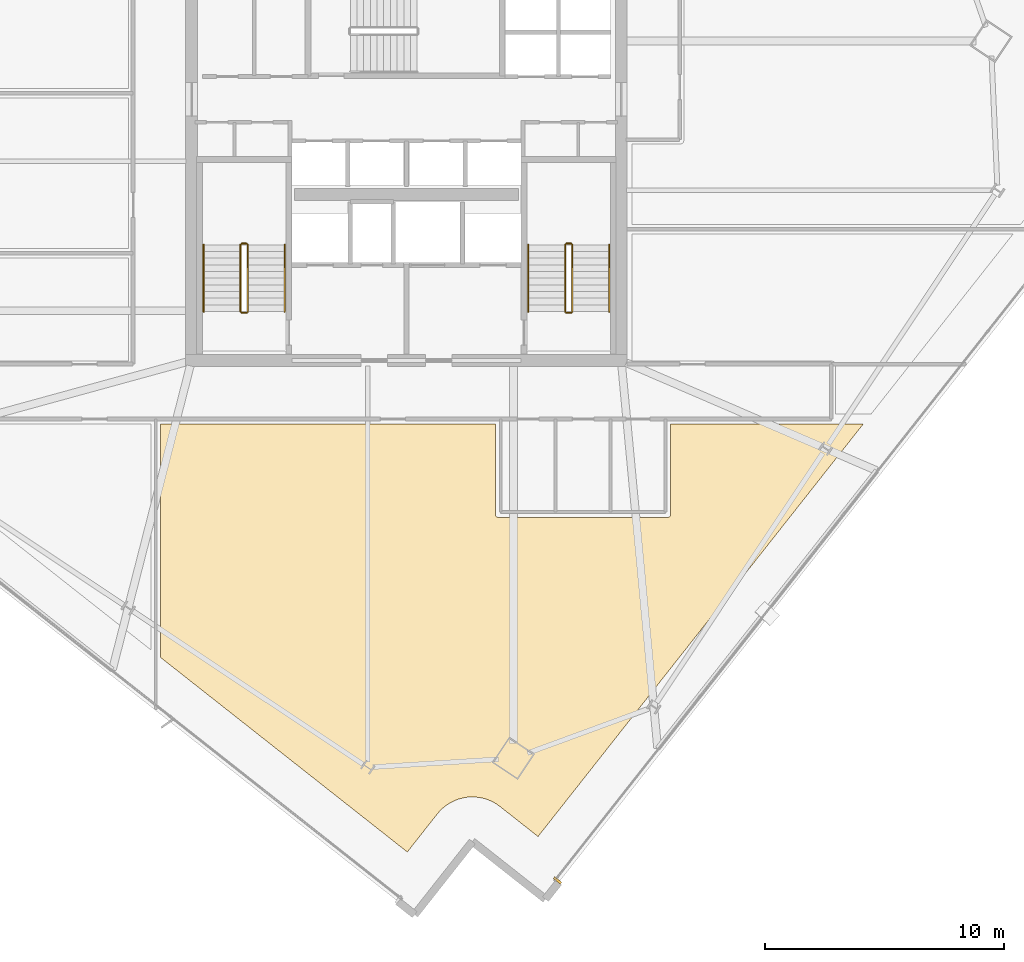
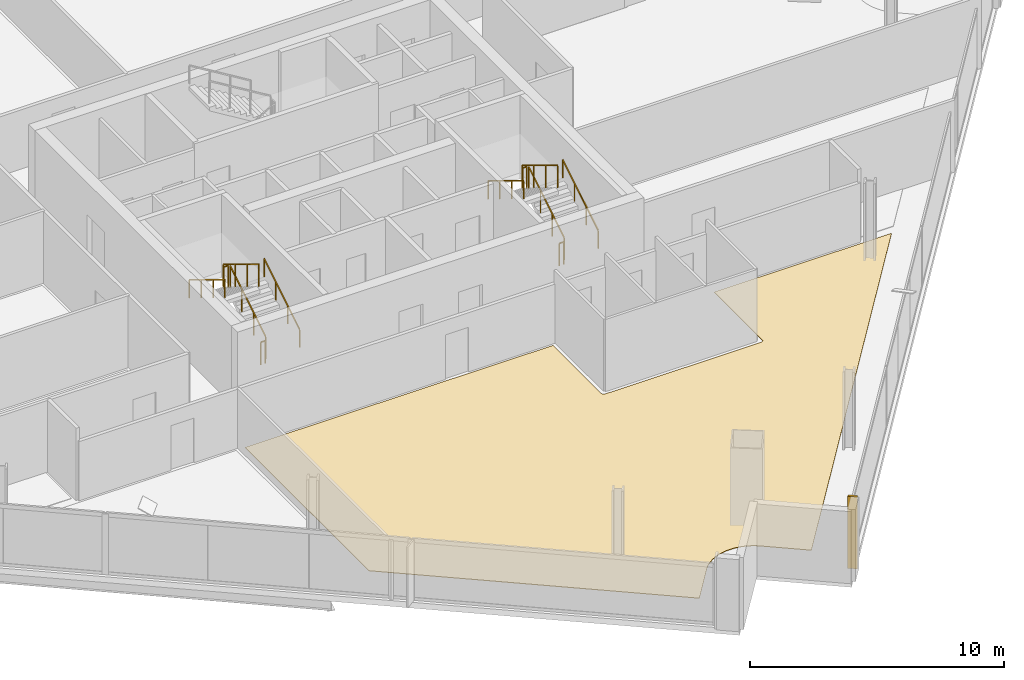
# One storey, part 25 of 28: 12 railings, 2 coverings.
"""IFC4 building model written with IfcOpenShell, lengths in metres."""

import ifcopenshell
import ifcopenshell.guid

model = None  # the IFC model being written
_history = None  # IfcOwnerHistory: only IFC2X3 demands one
_inside = {}  # id of a spatial element -> (the spatial element, [elements in it])
_under = {}  # id of a project, library or spatial element -> (it, [spatial elements below it])
_declared = {}  # id of a project -> (the project, [libraries it declares])
_typed = {}  # id of a type object -> (the type object, [elements of that type])
_made_of = {}  # id of a material, layer set ... -> (it, [elements and type objects made of it])


def new_model(schema):
    """Start an empty IFC model of exactly this schema.

    Asked for "IFC4X3", IfcOpenShell would pick the latest addendum, in which some entities
    have other attributes; the version numbers below select the first issue.
    IFC2X3 requires an IfcOwnerHistory on every rooted entity: one is made here for all.
    """
    global model, _history
    if schema == "IFC4X3":
        model = ifcopenshell.file(schema_version=(4, 3, 0, 0))
    else:
        model = ifcopenshell.file(schema=schema)
    _inside.clear()
    _under.clear()
    _declared.clear()
    _typed.clear()
    _made_of.clear()
    _history = None
    if model.schema == "IFC2X3":
        org = make("IfcOrganization", Name="unknown")
        user = make(
            "IfcPersonAndOrganization",
            ThePerson=make("IfcPerson", FamilyName="unknown"),
            TheOrganization=org,
        )
        app = make(
            "IfcApplication",
            ApplicationDeveloper=org,
            Version="unknown",
            ApplicationFullName="unknown",
            ApplicationIdentifier="unknown",
        )
        _history = make(
            "IfcOwnerHistory",
            OwningUser=user,
            OwningApplication=app,
            ChangeAction="ADDED",
            CreationDate=0,
        )
    return model


def make(cls, **values):
    """One entity of the class cls with the attributes given. An attribute that is None is left unset."""
    return model.create_entity(
        cls, **{name: value for name, value in values.items() if value is not None}
    )


def rooted(cls, **values):
    """An entity with a GlobalId (a new one), such as an element, a storey or a relation."""
    return make(cls, GlobalId=ifcopenshell.guid.new(), OwnerHistory=_history, **values)


def si_unit(unit_type, name, prefix=None):
    """IfcSIUnit, for example si_unit("LENGTHUNIT", "METRE", prefix="MILLI")."""
    return make("IfcSIUnit", UnitType=unit_type, Prefix=prefix, Name=name)


def assignment(units):
    """IfcUnitAssignment: the units of a project."""
    return None if units is None else make("IfcUnitAssignment", Units=units)


def point(xyz):
    """IfcCartesianPoint."""
    return None if xyz is None else make("IfcCartesianPoint", Coordinates=xyz)


def direction(xyz):
    """IfcDirection."""
    return None if xyz is None else make("IfcDirection", DirectionRatios=xyz)


def frame(location, z_axis=None, x_axis=None):
    """IfcAxis2Placement3D, a coordinate frame: its origin and axes. An axis left out is left unset."""
    return make(
        "IfcAxis2Placement3D",
        Location=point(location),
        Axis=direction(z_axis),
        RefDirection=direction(x_axis),
    )


def frame_2d(location, x_axis=None):
    """IfcAxis2Placement2D, a coordinate frame in the plane: its origin and x axis."""
    return make(
        "IfcAxis2Placement2D", Location=point(location), RefDirection=direction(x_axis)
    )


def origin():
    """The frame at (0, 0, 0) with its axes left unset."""
    return frame((0.0, 0.0, 0.0))


def origin_2d():
    """The frame at (0, 0) in the plane with its x axis left unset."""
    return frame_2d((0.0, 0.0))


def place(relative_to, where):
    """IfcLocalPlacement: puts the frame where relative to a parent placement (None: the world)."""
    return make(
        "IfcLocalPlacement", PlacementRelTo=relative_to, RelativePlacement=where
    )


def context(
    kind, dimensions, precision=None, world=None, true_north=None, identifier=None
):
    """IfcGeometricRepresentationContext, for example the 3D "Model" context."""
    return make(
        "IfcGeometricRepresentationContext",
        ContextIdentifier=identifier,
        ContextType=kind,
        CoordinateSpaceDimension=dimensions,
        Precision=precision,
        WorldCoordinateSystem=world,
        TrueNorth=true_north,
    )


def subcontext(parent, identifier, kind, view, scale=None):
    """IfcGeometricRepresentationSubContext, for example "Body" below "Model"."""
    return make(
        "IfcGeometricRepresentationSubContext",
        ContextIdentifier=identifier,
        ContextType=kind,
        ParentContext=parent,
        TargetScale=scale,
        TargetView=view,
    )


def project(units=None, contexts=None):
    """IfcProject with its units and contexts."""
    return rooted(
        "IfcProject",
        Name="project",
        RepresentationContexts=contexts,
        UnitsInContext=assignment(units),
    )


def spatial(cls, under=None, at=None, **own):
    """A site, building, storey or space (cls), placed at a placement, below another one or the project."""
    s = rooted(cls, ObjectPlacement=at, **own)
    if under is not None:
        _under.setdefault(under.id(), (under, []))[1].append(s)
    return s


def polyline(points):
    """IfcPolyline through the points."""
    return make("IfcPolyline", Points=[point(p) for p in points])


def profile(cls, at=None, kind="AREA", **sizes):
    """A parametric profile (cls). Its sizes go by their IFC names, for example OverallWidth=200.0."""
    return make(cls, ProfileType=kind, Position=at, **sizes)


def rectangle(**sizes):
    """IfcRectangleProfileDef."""
    return profile("IfcRectangleProfileDef", **sizes)


def outline(outer, holes=None, kind="AREA"):
    """IfcArbitraryClosedProfileDef: a profile drawn as a closed curve; with holes, ...WithVoids."""
    if holes is None:
        return make("IfcArbitraryClosedProfileDef", ProfileType=kind, OuterCurve=outer)
    return make(
        "IfcArbitraryProfileDefWithVoids",
        ProfileType=kind,
        OuterCurve=outer,
        InnerCurves=holes,
    )


def extrude(swept, where, along, depth):
    """IfcExtrudedAreaSolid: the profile swept, set in the frame where, extruded along a direction by depth."""
    return make(
        "IfcExtrudedAreaSolid",
        SweptArea=swept,
        Position=where,
        ExtrudedDirection=direction(along),
        Depth=depth,
    )


def shape(context_of_items, identifier, shape_type, items):
    """IfcShapeRepresentation: the items that make up one representation, for example the "Body"."""
    return make(
        "IfcShapeRepresentation",
        ContextOfItems=context_of_items,
        RepresentationIdentifier=identifier,
        RepresentationType=shape_type,
        Items=items,
    )


def source(mapping_origin, context_of_items, identifier, shape_type, items):
    """IfcRepresentationMap: a shape defined once, which mapped items show again and again."""
    return make(
        "IfcRepresentationMap",
        MappingOrigin=mapping_origin,
        MappedRepresentation=shape(context_of_items, identifier, shape_type, items),
    )


def transform(
    local_origin,
    x_axis=None,
    y_axis=None,
    z_axis=None,
    scale=None,
    scale2=None,
    scale3=None,
    uniform=True,
):
    """IfcCartesianTransformationOperator3D, or its non-uniform kind. x_axis, y_axis, z_axis: its Axis1, 2, 3."""
    if uniform:
        return make(
            "IfcCartesianTransformationOperator3D",
            Axis1=direction(x_axis),
            Axis2=direction(y_axis),
            LocalOrigin=point(local_origin),
            Scale=scale,
            Axis3=direction(z_axis),
        )
    return make(
        "IfcCartesianTransformationOperator3DnonUniform",
        Axis1=direction(x_axis),
        Axis2=direction(y_axis),
        LocalOrigin=point(local_origin),
        Scale=scale,
        Axis3=direction(z_axis),
        Scale2=scale2,
        Scale3=scale3,
    )


def mapped(mapping_source, mapping_target):
    """IfcMappedItem: shows the shape of a source again, moved by a transform."""
    return make(
        "IfcMappedItem", MappingSource=mapping_source, MappingTarget=mapping_target
    )


def material(Name=None, Category=None):
    """IfcMaterial."""
    return make("IfcMaterial", Name=Name, Category=Category)


def layer(
    of_material, thickness, ventilated=None, Name=None, Category=None, Priority=None
):
    """IfcMaterialLayer: one layer of a wall or slab, of a material (None: an air gap)."""
    return make(
        "IfcMaterialLayer",
        Material=of_material,
        LayerThickness=thickness,
        IsVentilated=ventilated,
        Name=Name,
        Category=Category,
        Priority=Priority,
    )


def layer_set(layers, Name=None):
    """IfcMaterialLayerSet."""
    return make("IfcMaterialLayerSet", MaterialLayers=layers, LayerSetName=Name)


def made_of(thing, what):
    """Note that an element or type object is made of a material, layer set ...; save() writes the relation."""
    if what is not None:
        _made_of.setdefault(what.id(), (what, []))[1].append(thing)
    return thing


def type_object(cls, material=None, **own):
    """A type object (cls), such as IfcWallType, which elements share."""
    return made_of(rooted(cls, **own), material)


def element(
    cls,
    number,
    at=None,
    inside=None,
    cuts=None,
    type_object=None,
    material=None,
    context=None,
    identifier="Body",
    shape_type=None,
    held_by="IfcProductDefinitionShape",
    body=None,
    shapes=None,
    **own,
):
    """One element of the class cls, such as IfcWall. Its Tag is "e" and its number.

    at: its placement. inside: the storey or other place that contains it. cuts: it is an
    opening in that element (IfcRelVoidsElement). A single representation is given by context,
    identifier, shape_type and body (its items); several are given by shapes. held_by: the class
    of the entity that holds the representations. save() writes the other relations.
    """
    e = rooted(cls, Tag="e%d" % number, ObjectPlacement=at, **own)
    if body is not None:
        shapes = [shape(context, identifier, shape_type, body)]
    if shapes is not None:
        e.Representation = make(held_by, Representations=shapes)
    if inside is not None:
        _inside.setdefault(inside.id(), (inside, []))[1].append(e)
    if cuts is not None:
        rooted(
            "IfcRelVoidsElement", RelatingBuildingElement=cuts, RelatedOpeningElement=e
        )
    if type_object is not None:
        _typed.setdefault(type_object.id(), (type_object, []))[1].append(e)
    return made_of(e, material)


def aggregate(whole, parts):
    """IfcRelAggregates: a whole, such as a stair, and the parts it consists of."""
    return rooted("IfcRelAggregates", RelatingObject=whole, RelatedObjects=parts)


def save(model, path):
    """Write the relations noted so far, then the file.

    IfcRelAggregates (storeys below a building ...), IfcRelContainedInSpatialStructure (elements
    in a storey), IfcRelDefinesByType, IfcRelAssociatesMaterial and IfcRelDeclares: one each for
    every whole, place, type object, material and project.
    """
    for whole, parts in _under.values():
        aggregate(whole, parts)
    for where, things in _inside.values():
        rooted(
            "IfcRelContainedInSpatialStructure",
            RelatedElements=things,
            RelatingStructure=where,
        )
    for kind, things in _typed.values():
        rooted("IfcRelDefinesByType", RelatedObjects=things, RelatingType=kind)
    for what, things in _made_of.values():
        rooted("IfcRelAssociatesMaterial", RelatedObjects=things, RelatingMaterial=what)
    for by, libraries in _declared.values():
        rooted("IfcRelDeclares", RelatingContext=by, RelatedDefinitions=libraries)
    model.write(path)


model = new_model("IFC4")

# Units and contexts
model_context = context("Model", 3, precision=1e-05, world=origin(), true_north=direction((0.0, 1.0)))
body_context = subcontext(model_context, "Body", "Model", "MODEL_VIEW")
ifc_project = project(units=[si_unit("LENGTHUNIT", "METRE"), si_unit("AREAUNIT", "SQUARE_METRE"), si_unit("VOLUMEUNIT", "CUBIC_METRE"), si_unit("PLANEANGLEUNIT", "RADIAN"), si_unit("MASSUNIT", "GRAM", prefix="KILO")], contexts=[model_context])

# Site, building, storey
site_placement = place(None, origin())
site = spatial("IfcSite", under=ifc_project, at=site_placement, CompositionType="ELEMENT")
building_placement = place(site_placement, origin())
building = spatial("IfcBuilding", under=site, at=building_placement, Name="Haldenkirk Collegiate Tower", CompositionType="ELEMENT")
storey_placement = place(building_placement, frame((0.0, 0.0, 202.199951171875)))
storey = spatial("IfcBuildingStorey", under=building, at=storey_placement, Name="L50", CompositionType="ELEMENT", Elevation=202.199951171875)

# Covering
ifc_material_1 = material(Name="Polished collegiate terrazzo", Category="concrete")
ifc_layer_1 = layer(ifc_material_1, 0.02490234375)
ifc_layer_set_1 = layer_set([ifc_layer_1], Name="Polished collegiate terrazzo")
covering_type_1 = type_object("IfcCoveringType", Name="COV-FLOOR-TERRAZZO", PredefinedType="FLOORING", material=ifc_layer_set_1)
covering_1_placement = place(storey_placement, origin())
element("IfcCovering", 1, at=covering_1_placement, inside=storey, type_object=covering_type_1, Name="L50 academic room finish 02", PredefinedType="FLOORING", context=body_context, shape_type="SweptSolid", body=[
    extrude(outline(polyline([(39.27587890625, -0.356689453125), (39.264404296875, -0.353515625), (39.09716796875, -0.31494140625), (39.085693359375, -0.31298828125), (38.915283203125, -0.291015625), (38.903564453125, -0.290283203125), (38.73193359375, -0.28515625), (38.72021484375, -0.285400390625), (38.548828125, -0.297119140625), (38.537109375, -0.298583984375), (38.36767578125, -0.3271484375), (38.356201171875, -0.32958984375), (38.1904296875, -0.37451171875), (38.17919921875, -0.378173828125), (38.018798828125, -0.439208984375), (38.008056640625, -0.44384765625), (37.854248046875, -0.520263671875), (37.843994140625, -0.526123046875), (37.698486328125, -0.6171875), (37.688720703125, -0.6240234375), (37.552734375, -0.72900390625), (37.5439453125, -0.73681640625), (37.4189453125, -0.8544921875), (37.41064453125, -0.863037109375), (37.2978515625, -0.992431640625), (37.294189453125, -0.9970703125), (36.037353515625, -2.59130859375), (25.699951171875, 5.55810546875), (25.699951171875, 15.35009765625), (39.72998046875, 15.35009765625), (39.72998046875, 11.550048828125), (39.730712890625, 11.5380859375), (39.732421875, 11.526611328125), (39.735107421875, 11.51513671875), (39.739013671875, 11.504150390625), (39.744140625, 11.493408203125), (39.750244140625, 11.4833984375), (39.757080078125, 11.473876953125), (39.76513671875, 11.465087890625), (39.77392578125, 11.457275390625), (39.783203125, 11.4501953125), (39.79345703125, 11.444091796875), (39.80419921875, 11.439208984375), (39.815185546875, 11.435302734375), (39.82666015625, 11.432373046875), (39.838134765625, 11.4306640625), (39.85009765625, 11.429931640625), (46.949951171875, 11.429931640625), (46.9619140625, 11.4306640625), (46.973388671875, 11.432373046875), (46.98486328125, 11.435302734375), (46.995849609375, 11.439208984375), (47.006591796875, 11.444091796875), (47.0166015625, 11.4501953125), (47.026123046875, 11.457275390625), (47.034912109375, 11.465087890625), (47.042724609375, 11.473876953125), (47.0498046875, 11.4833984375), (47.055908203125, 11.493408203125), (47.060791015625, 11.504150390625), (47.064697265625, 11.51513671875), (47.067626953125, 11.526611328125), (47.0693359375, 11.5380859375), (47.070068359375, 11.550048828125), (47.070068359375, 15.35009765625), (55.147216796875, 15.35009765625), (41.5146484375, -1.943115234375), (39.92041015625, -0.686279296875), (39.915771484375, -0.6826171875), (39.77587890625, -0.5830078125), (39.765869140625, -0.57666015625), (39.616943359375, -0.4912109375), (39.606201171875, -0.48583984375), (39.44970703125, -0.41552734375), (39.438720703125, -0.411376953125), (39.27587890625, -0.356689453125)])), origin(), (0.0, 0.0, 1.0), 0.025146484375),
])

# Railings
ifc_material_2 = material(Name="Painted architectural tubular steel", Category="steel")
railing_type_1 = type_object("IfcRailingType", Name="RLG-STAIR-GUARD-1100", PredefinedType="BALUSTRADE", material=ifc_material_2)
railing_1_placement = place(storey_placement, frame((29.35009765625, 20.050048828125, 0.17041015625)))
element("IfcRailing", 2, at=railing_1_placement, inside=storey, type_object=railing_type_1, Name="L50 ST-1 stair guard 1", PredefinedType="BALUSTRADE", context=body_context, shape_type="SweptSolid", body=[
    extrude(rectangle(XDim=0.048095703125, YDim=0.048095703125, at=origin_2d()), frame((0.0, 0.0, 1.076171875), z_axis=(0.0, 0.854169791009, 0.51999420009), x_axis=(-1.0, 0.0, 0.0)), (0.0, 0.0, 1.0), 3.278076171875),
    extrude(rectangle(XDim=0.0419921875, YDim=0.0419921875, at=origin_2d()), origin(), (0.0, 0.0, 1.0), 1.052001953125),
    extrude(rectangle(XDim=0.0419921875, YDim=0.0419921875, at=origin_2d()), frame((0.0, 0.933349609375, 0.568115234375)), (0.0, 0.0, 1.0), 1.052001953125),
    extrude(rectangle(XDim=0.0419921875, YDim=0.0419921875, at=origin_2d()), frame((0.0, 1.86669921875, 1.136474609375)), (0.0, 0.0, 1.0), 1.052001953125),
    extrude(rectangle(XDim=0.0419921875, YDim=0.0419921875, at=origin_2d()), frame((0.0, 2.800048828125, 1.70458984375)), (0.0, 0.0, 1.0), 1.052001953125),
])
railing_2_placement = place(storey_placement, frame((29.300048828125, 22.89990234375, 1.875)))
element("IfcRailing", 3, at=railing_2_placement, inside=storey, type_object=railing_type_1, Name="L50 ST-1 stair guard 2", PredefinedType="BALUSTRADE", context=body_context, shape_type="SweptSolid", body=[
    extrude(rectangle(XDim=0.048095703125, YDim=0.048095703125, at=origin_2d()), frame((0.0, 0.0, 1.076171875), z_axis=(-1.0, 0.0, 0.0), x_axis=(0.0, -1.0, 0.0)), (0.0, 0.0, 1.0), 0.199951171875),
    extrude(rectangle(XDim=0.0419921875, YDim=0.0419921875, at=origin_2d()), origin(), (0.0, 0.0, 1.0), 1.052001953125),
    extrude(rectangle(XDim=0.0419921875, YDim=0.0419921875, at=origin_2d()), frame((-0.199951171875, 0.0, 0.0)), (0.0, 0.0, 1.0), 1.052001953125),
])
railing_3_placement = place(storey_placement, frame((29.050048828125, 22.85009765625, 2.04541015625)))
element("IfcRailing", 4, at=railing_3_placement, inside=storey, type_object=railing_type_1, Name="L50 ST-1 stair guard 3", PredefinedType="BALUSTRADE", context=body_context, shape_type="SweptSolid", body=[
    extrude(rectangle(XDim=0.048095703125, YDim=0.048095703125, at=origin_2d()), frame((0.0, 0.0, 1.076171875), z_axis=(0.0, -0.854169791009, 0.51999420009), x_axis=(1.0, 0.0, 0.0)), (0.0, 0.0, 1.0), 3.278076171875),
    extrude(rectangle(XDim=0.0419921875, YDim=0.0419921875, at=origin_2d()), origin(), (0.0, 0.0, 1.0), 1.052001953125),
    extrude(rectangle(XDim=0.0419921875, YDim=0.0419921875, at=origin_2d()), frame((0.0, -0.933349609375, 0.568115234375)), (0.0, 0.0, 1.0), 1.052001953125),
    extrude(rectangle(XDim=0.0419921875, YDim=0.0419921875, at=origin_2d()), frame((0.0, -1.86669921875, 1.136474609375)), (0.0, 0.0, 1.0), 1.052001953125),
    extrude(rectangle(XDim=0.0419921875, YDim=0.0419921875, at=origin_2d()), frame((0.0, -2.800048828125, 1.70458984375)), (0.0, 0.0, 1.0), 1.052001953125),
])
railing_4_placement = place(storey_placement, frame((29.300048828125, 20.0, 0.0)))
element("IfcRailing", 5, at=railing_4_placement, inside=storey, type_object=railing_type_1, Name="L50 ST-1 stair guard 4", PredefinedType="BALUSTRADE", context=body_context, shape_type="SweptSolid", body=[
    extrude(rectangle(XDim=0.048095703125, YDim=0.048095703125, at=origin_2d()), frame((0.0, 0.0, 1.076171875), z_axis=(-1.0, 0.0, 0.0), x_axis=(0.0, -1.0, 0.0)), (0.0, 0.0, 1.0), 0.199951171875),
    extrude(rectangle(XDim=0.0419921875, YDim=0.0419921875, at=origin_2d()), origin(), (0.0, 0.0, 1.0), 1.052001953125),
    extrude(rectangle(XDim=0.0419921875, YDim=0.0419921875, at=origin_2d()), frame((-0.199951171875, 0.0, 0.0)), (0.0, 0.0, 1.0), 1.052001953125),
])
railing_5_placement = place(storey_placement, frame((42.949951171875, 20.050048828125, 0.17041015625)))
element("IfcRailing", 6, at=railing_5_placement, inside=storey, type_object=railing_type_1, Name="L50 ST-2 stair guard 1", PredefinedType="BALUSTRADE", context=body_context, shape_type="SweptSolid", body=[
    extrude(rectangle(XDim=0.048095703125, YDim=0.048095703125, at=origin_2d()), frame((0.0, 0.0, 1.076171875), z_axis=(0.0, 0.854169791009, 0.51999420009), x_axis=(-1.0, 0.0, 0.0)), (0.0, 0.0, 1.0), 3.278076171875),
    extrude(rectangle(XDim=0.0419921875, YDim=0.0419921875, at=origin_2d()), origin(), (0.0, 0.0, 1.0), 1.052001953125),
    extrude(rectangle(XDim=0.0419921875, YDim=0.0419921875, at=origin_2d()), frame((0.0, 0.933349609375, 0.568115234375)), (0.0, 0.0, 1.0), 1.052001953125),
    extrude(rectangle(XDim=0.0419921875, YDim=0.0419921875, at=origin_2d()), frame((0.0, 1.86669921875, 1.136474609375)), (0.0, 0.0, 1.0), 1.052001953125),
    extrude(rectangle(XDim=0.0419921875, YDim=0.0419921875, at=origin_2d()), frame((0.0, 2.800048828125, 1.70458984375)), (0.0, 0.0, 1.0), 1.052001953125),
])
railing_6_placement = place(storey_placement, frame((42.89990234375, 22.89990234375, 1.875)))
element("IfcRailing", 7, at=railing_6_placement, inside=storey, type_object=railing_type_1, Name="L50 ST-2 stair guard 2", PredefinedType="BALUSTRADE", context=body_context, shape_type="SweptSolid", body=[
    extrude(rectangle(XDim=0.048095703125, YDim=0.048095703125, at=origin_2d()), frame((0.0, 0.0, 1.076171875), z_axis=(-1.0, 0.0, 0.0), x_axis=(0.0, -1.0, 0.0)), (0.0, 0.0, 1.0), 0.199951171875),
    extrude(rectangle(XDim=0.0419921875, YDim=0.0419921875, at=origin_2d()), origin(), (0.0, 0.0, 1.0), 1.052001953125),
    extrude(rectangle(XDim=0.0419921875, YDim=0.0419921875, at=origin_2d()), frame((-0.199951171875, 0.0, 0.0)), (0.0, 0.0, 1.0), 1.052001953125),
])
railing_7_placement = place(storey_placement, frame((42.64990234375, 22.85009765625, 2.04541015625)))
element("IfcRailing", 8, at=railing_7_placement, inside=storey, type_object=railing_type_1, Name="L50 ST-2 stair guard 3", PredefinedType="BALUSTRADE", context=body_context, shape_type="SweptSolid", body=[
    extrude(rectangle(XDim=0.048095703125, YDim=0.048095703125, at=origin_2d()), frame((0.0, 0.0, 1.076171875), z_axis=(0.0, -0.854169791009, 0.51999420009), x_axis=(1.0, 0.0, 0.0)), (0.0, 0.0, 1.0), 3.278076171875),
    extrude(rectangle(XDim=0.0419921875, YDim=0.0419921875, at=origin_2d()), origin(), (0.0, 0.0, 1.0), 1.052001953125),
    extrude(rectangle(XDim=0.0419921875, YDim=0.0419921875, at=origin_2d()), frame((0.0, -0.933349609375, 0.568115234375)), (0.0, 0.0, 1.0), 1.052001953125),
    extrude(rectangle(XDim=0.0419921875, YDim=0.0419921875, at=origin_2d()), frame((0.0, -1.86669921875, 1.136474609375)), (0.0, 0.0, 1.0), 1.052001953125),
    extrude(rectangle(XDim=0.0419921875, YDim=0.0419921875, at=origin_2d()), frame((0.0, -2.800048828125, 1.70458984375)), (0.0, 0.0, 1.0), 1.052001953125),
])
railing_8_placement = place(storey_placement, frame((42.89990234375, 20.0, 0.0)))
element("IfcRailing", 9, at=railing_8_placement, inside=storey, type_object=railing_type_1, Name="L50 ST-2 stair guard 4", PredefinedType="BALUSTRADE", context=body_context, shape_type="SweptSolid", body=[
    extrude(rectangle(XDim=0.048095703125, YDim=0.048095703125, at=origin_2d()), frame((0.0, 0.0, 1.076171875), z_axis=(-1.0, 0.0, 0.0), x_axis=(0.0, -1.0, 0.0)), (0.0, 0.0, 1.0), 0.199951171875),
    extrude(rectangle(XDim=0.0419921875, YDim=0.0419921875, at=origin_2d()), origin(), (0.0, 0.0, 1.0), 1.052001953125),
    extrude(rectangle(XDim=0.0419921875, YDim=0.0419921875, at=origin_2d()), frame((-0.199951171875, 0.0, 0.0)), (0.0, 0.0, 1.0), 1.052001953125),
])
railing_type_2 = type_object("IfcRailingType", Name="RLG-STAIR-HANDRAIL-900", PredefinedType="HANDRAIL", material=ifc_material_2)
railing_9_placement = place(storey_placement, frame((30.89990234375, 20.050048828125, 0.17041015625)))
element("IfcRailing", 10, at=railing_9_placement, inside=storey, type_object=railing_type_2, Name="L50 ST-1 stair handrail 1", PredefinedType="HANDRAIL", context=body_context, shape_type="SweptSolid", body=[
    extrude(rectangle(XDim=0.048095703125, YDim=0.048095703125, at=origin_2d()), frame((0.0, 0.0, 0.8759765625), z_axis=(0.0, 0.854169791009, 0.51999420009), x_axis=(-1.0, 0.0, 0.0)), (0.0, 0.0, 1.0), 3.278076171875),
    extrude(rectangle(XDim=0.0419921875, YDim=0.0419921875, at=origin_2d()), origin(), (0.0, 0.0, 1.0), 0.851806640625),
    extrude(rectangle(XDim=0.0419921875, YDim=0.0419921875, at=origin_2d()), frame((0.0, 0.933349609375, 0.568115234375)), (0.0, 0.0, 1.0), 0.851806640625),
    extrude(rectangle(XDim=0.0419921875, YDim=0.0419921875, at=origin_2d()), frame((0.0, 1.86669921875, 1.136474609375)), (0.0, 0.0, 1.0), 0.851806640625),
    extrude(rectangle(XDim=0.0419921875, YDim=0.0419921875, at=origin_2d()), frame((0.0, 2.800048828125, 1.70458984375)), (0.0, 0.0, 1.0), 0.851806640625),
])
railing_10_placement = place(storey_placement, frame((27.5, 22.85009765625, 2.04541015625)))
element("IfcRailing", 11, at=railing_10_placement, inside=storey, type_object=railing_type_2, Name="L50 ST-1 stair handrail 2", PredefinedType="HANDRAIL", context=body_context, shape_type="SweptSolid", body=[
    extrude(rectangle(XDim=0.048095703125, YDim=0.048095703125, at=origin_2d()), frame((0.0, 0.0, 0.8759765625), z_axis=(0.0, -0.854169791009, 0.51999420009), x_axis=(1.0, 0.0, 0.0)), (0.0, 0.0, 1.0), 3.278076171875),
    extrude(rectangle(XDim=0.0419921875, YDim=0.0419921875, at=origin_2d()), origin(), (0.0, 0.0, 1.0), 0.851806640625),
    extrude(rectangle(XDim=0.0419921875, YDim=0.0419921875, at=origin_2d()), frame((0.0, -0.933349609375, 0.568115234375)), (0.0, 0.0, 1.0), 0.851806640625),
    extrude(rectangle(XDim=0.0419921875, YDim=0.0419921875, at=origin_2d()), frame((0.0, -1.86669921875, 1.136474609375)), (0.0, 0.0, 1.0), 0.851806640625),
    extrude(rectangle(XDim=0.0419921875, YDim=0.0419921875, at=origin_2d()), frame((0.0, -2.800048828125, 1.70458984375)), (0.0, 0.0, 1.0), 0.851806640625),
])
railing_11_placement = place(storey_placement, frame((44.5, 20.050048828125, 0.17041015625)))
element("IfcRailing", 12, at=railing_11_placement, inside=storey, type_object=railing_type_2, Name="L50 ST-2 stair handrail 1", PredefinedType="HANDRAIL", context=body_context, shape_type="SweptSolid", body=[
    extrude(rectangle(XDim=0.048095703125, YDim=0.048095703125, at=origin_2d()), frame((0.0, 0.0, 0.8759765625), z_axis=(0.0, 0.854169791009, 0.51999420009), x_axis=(-1.0, 0.0, 0.0)), (0.0, 0.0, 1.0), 3.278076171875),
    extrude(rectangle(XDim=0.0419921875, YDim=0.0419921875, at=origin_2d()), origin(), (0.0, 0.0, 1.0), 0.851806640625),
    extrude(rectangle(XDim=0.0419921875, YDim=0.0419921875, at=origin_2d()), frame((0.0, 0.933349609375, 0.568115234375)), (0.0, 0.0, 1.0), 0.851806640625),
    extrude(rectangle(XDim=0.0419921875, YDim=0.0419921875, at=origin_2d()), frame((0.0, 1.86669921875, 1.136474609375)), (0.0, 0.0, 1.0), 0.851806640625),
    extrude(rectangle(XDim=0.0419921875, YDim=0.0419921875, at=origin_2d()), frame((0.0, 2.800048828125, 1.70458984375)), (0.0, 0.0, 1.0), 0.851806640625),
])
railing_12_placement = place(storey_placement, frame((41.10009765625, 22.85009765625, 2.04541015625)))
element("IfcRailing", 13, at=railing_12_placement, inside=storey, type_object=railing_type_2, Name="L50 ST-2 stair handrail 2", PredefinedType="HANDRAIL", context=body_context, shape_type="SweptSolid", body=[
    extrude(rectangle(XDim=0.048095703125, YDim=0.048095703125, at=origin_2d()), frame((0.0, 0.0, 0.8759765625), z_axis=(0.0, -0.854169791009, 0.51999420009), x_axis=(1.0, 0.0, 0.0)), (0.0, 0.0, 1.0), 3.278076171875),
    extrude(rectangle(XDim=0.0419921875, YDim=0.0419921875, at=origin_2d()), origin(), (0.0, 0.0, 1.0), 0.851806640625),
    extrude(rectangle(XDim=0.0419921875, YDim=0.0419921875, at=origin_2d()), frame((0.0, -0.933349609375, 0.568115234375)), (0.0, 0.0, 1.0), 0.851806640625),
    extrude(rectangle(XDim=0.0419921875, YDim=0.0419921875, at=origin_2d()), frame((0.0, -1.86669921875, 1.136474609375)), (0.0, 0.0, 1.0), 0.851806640625),
    extrude(rectangle(XDim=0.0419921875, YDim=0.0419921875, at=origin_2d()), frame((0.0, -2.800048828125, 1.70458984375)), (0.0, 0.0, 1.0), 0.851806640625),
])

# Covering
ifc_material_3 = material(Name="Anodised architectural bronze aluminium", Category="aluminium")
ifc_layer_2 = layer(ifc_material_3, 0.06005859375)
ifc_layer_set_2 = layer_set([ifc_layer_2], Name="Anodised architectural bronze aluminium")
covering_type_2 = type_object("IfcCoveringType", Name="COV-CLAD-BRONZE-60", PredefinedType="CLADDING", material=ifc_layer_set_2)
shared_shape = source(origin(), body_context, "Body", "SweptSolid", [
    extrude(rectangle(XDim=0.10009765625, YDim=0.3798828125, at=origin_2d()), origin(), (0.0, 0.0, 1.0), 3.469970703125),
])
covering_2_placement = place(storey_placement, frame((42.33056640625, -3.783203125, 0.0), z_axis=(0.0, 0.0, 1.0), x_axis=(-0.61909394931, -0.785316930881, 0.0)))
element("IfcCovering", 14, at=covering_2_placement, inside=storey, type_object=covering_type_2, Name="L50 recessed curtain-wall bronze jamb closure SJR", PredefinedType="CLADDING", context=body_context, shape_type="MappedRepresentation", body=[
    mapped(shared_shape, transform((0.0, 0.0, 0.0), x_axis=(1.0, 0.0, 0.0), y_axis=(0.0, 1.0, 0.0), z_axis=(0.0, 0.0, 1.0), scale=1.0)),
])

save(model, "model.ifc")
